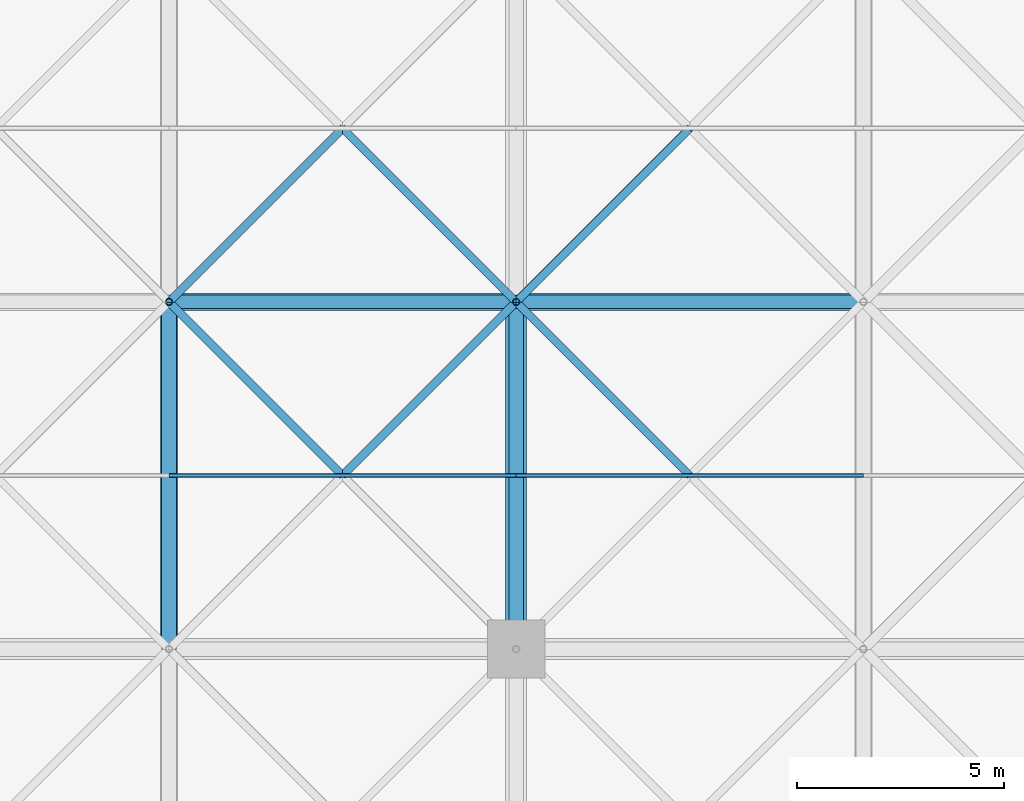
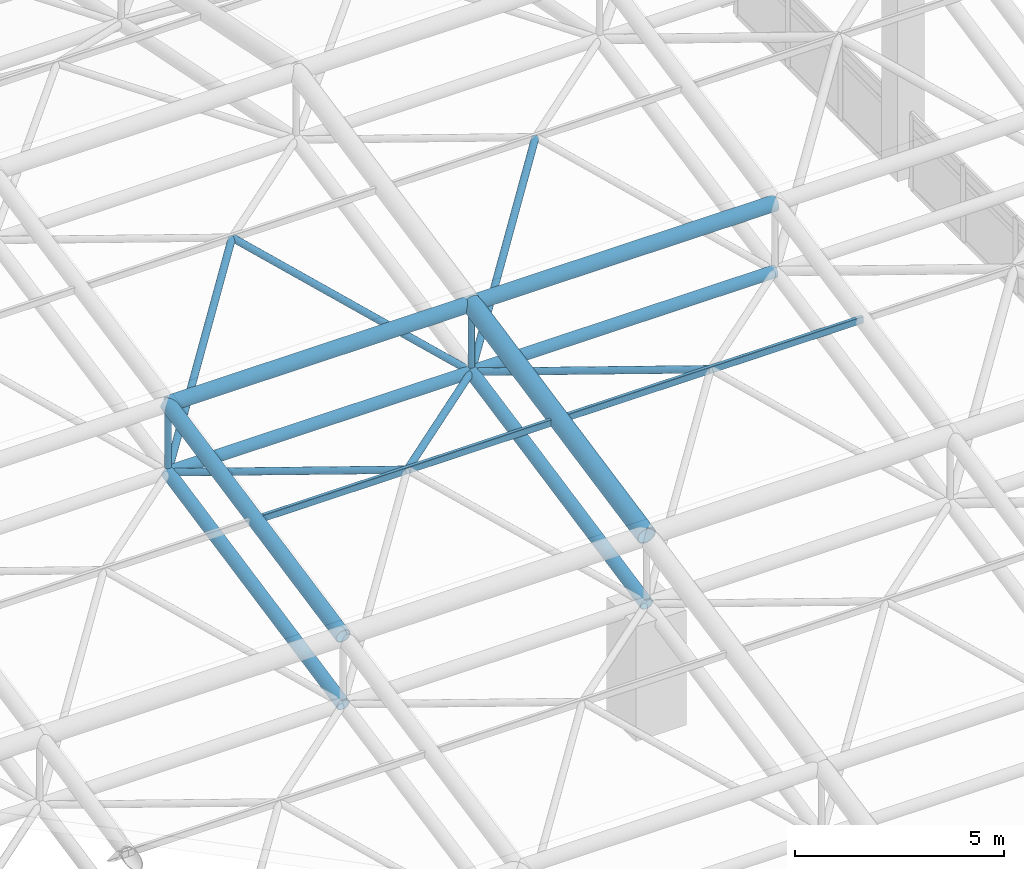
# One storey, part 58 of 110: 18 members.
"""IFC4 building model written with IfcOpenShell, lengths in metres."""

from ifc_helpers import new_model, si_unit, direction, frame, origin, origin_2d, place, context, subcontext, project, spatial, hollow_rectangle, hollow_circle, extrude, material, material_profile, profile_set, type_object, element, save


model = new_model("IFC4")

# Units and contexts
model_context = context("Model", 3, precision=1e-05, world=origin(), true_north=direction((0.0, 1.0)))
body_context = subcontext(model_context, "Body", "Model", "MODEL_VIEW")
ifc_project = project(units=[si_unit("LENGTHUNIT", "METRE"), si_unit("AREAUNIT", "SQUARE_METRE"), si_unit("VOLUMEUNIT", "CUBIC_METRE"), si_unit("PLANEANGLEUNIT", "RADIAN"), si_unit("MASSUNIT", "GRAM", prefix="KILO")], contexts=[model_context])

# Site, building, storey
site_placement = place(None, origin())
site = spatial("IfcSite", under=ifc_project, at=site_placement, CompositionType="ELEMENT")
building_placement = place(site_placement, origin())
building = spatial("IfcBuilding", under=site, at=building_placement, Name="Qawsi Khor Wholesale Market", CompositionType="ELEMENT")
storey_placement = place(building_placement, frame((0.0, 0.0, 11.39990234375)))
storey = spatial("IfcBuildingStorey", under=building, at=storey_placement, Name="L02", CompositionType="ELEMENT", Elevation=11.39990234375)

# Members
ifc_material = material(Name="Steel S355", Category="steel")
ifc_material_profile_1 = material_profile(ifc_material, hollow_circle(Radius=0.177734375, WallThickness=0.01611328125, at=origin_2d()), Name="CHS 355.6x16.0")
ifc_profile_set_1 = profile_set([ifc_material_profile_1], Name="Steel S355")
member_type_1 = type_object("IfcMemberType", Name="Space-Frame Bottom Chord CHS 355.6x16.0", PredefinedType="CHORD", material=ifc_profile_set_1)
for number, where, z_axis, x_axis, name in (
    (1, (193.199951171875, 58.800048828125, 3.3701171875), (0.0, 0.980129990483, 0.1983562496), (-1.0, 0.0, 0.0), "Space frame bottom chord Y EH (23,7)"),
    (2, (201.60009765625, 58.800048828125, 3.3701171875), (0.0, 0.980129990483, 0.1983562496), (-1.0, 0.0, 0.0), "Space frame bottom chord Y EH (24,7)"),
):
    element("IfcMember", number, at=place(storey_placement, frame(where, z_axis=z_axis, x_axis=x_axis)), inside=storey, type_object=member_type_1, Name=name, PredefinedType="CHORD", context=body_context, shape_type="SweptSolid", body=[
        extrude(hollow_circle(Radius=0.177734375, WallThickness=0.01611328125, at=origin_2d()), origin(), (0.0, 0.0, 1.0), 8.5703125),
    ])
ifc_material_profile_2 = material_profile(ifc_material, hollow_circle(Radius=0.25390625, WallThickness=0.02490234375, at=origin_2d()), Name="CHS 508.0x25.0")
ifc_profile_set_2 = profile_set([ifc_material_profile_2], Name="Steel S355")
member_type_2 = type_object("IfcMemberType", Name="Space-Frame Main Chord CHS 508.0x25.0", PredefinedType="CHORD", material=ifc_profile_set_2)
member_1_placement = place(storey_placement, frame((201.60009765625, 58.800048828125, 5.3701171875), z_axis=(0.0, 0.980129990483, 0.1983562496), x_axis=(-1.0, 0.0, 0.0)))
element("IfcMember", 3, at=member_1_placement, inside=storey, type_object=member_type_2, Name="Space frame top chord Y EH (24,7)", PredefinedType="CHORD", context=body_context, shape_type="SweptSolid", body=[
    extrude(hollow_circle(Radius=0.25390625, WallThickness=0.02490234375, at=origin_2d()), origin(), (0.0, 0.0, 1.0), 8.5703125),
])
ifc_material_profile_3 = material_profile(ifc_material, hollow_rectangle(XDim=0.10009765625, YDim=0.199951171875, WallThickness=0.008056640625, InnerFilletRadius=0.008056640625, OuterFilletRadius=0.01611328125, at=origin_2d()), Name="RHS 200x100x8.0")
ifc_profile_set_3 = profile_set([ifc_material_profile_3], Name="Steel S355")
member_type_3 = type_object("IfcMemberType", Name="Space-Frame Purlin RHS 200x100x8.0", PredefinedType="PURLIN", material=ifc_profile_set_3)
member_2_placement = place(storey_placement, frame((193.199951171875, 63.0, 6.22021484375), z_axis=(1.0, 0.0, 0.0), x_axis=(0.0, 1.0, 0.0)))
element("IfcMember", 4, at=member_2_placement, inside=storey, type_object=member_type_3, Name="Space frame purlin EH (23,7)", PredefinedType="PURLIN", context=body_context, shape_type="SweptSolid", body=[
    extrude(hollow_rectangle(XDim=0.10009765625, YDim=0.199951171875, WallThickness=0.008056640625, InnerFilletRadius=0.008056640625, OuterFilletRadius=0.01611328125, at=origin_2d()), origin(), (0.0, 0.0, 1.0), 8.400146484375),
])
member_3_placement = place(storey_placement, frame((201.60009765625, 63.0, 6.22021484375), z_axis=(1.0, 0.0, 0.0), x_axis=(0.0, 1.0, 0.0)))
element("IfcMember", 5, at=member_3_placement, inside=storey, type_object=member_type_3, Name="Space frame purlin EH (24,7)", PredefinedType="PURLIN", context=body_context, shape_type="SweptSolid", body=[
    extrude(hollow_rectangle(XDim=0.10009765625, YDim=0.199951171875, WallThickness=0.008056640625, InnerFilletRadius=0.008056640625, OuterFilletRadius=0.01611328125, at=origin_2d()), origin(), (0.0, 0.0, 1.0), 8.39990234375),
])
ifc_material_profile_4 = material_profile(ifc_material, hollow_circle(Radius=0.161865234375, WallThickness=0.01611328125, at=origin_2d()), Name="CHS 323.9x16.0")
ifc_profile_set_4 = profile_set([ifc_material_profile_4], Name="Steel S355")
member_type_4 = type_object("IfcMemberType", Name="Space-Frame Secondary Chord CHS 323.9x16.0", PredefinedType="CHORD", material=ifc_profile_set_4)
member_4_placement = place(storey_placement, frame((193.199951171875, 67.199951171875, 5.070068359375), z_axis=(1.0, 0.0, 0.0), x_axis=(0.0, 1.0, 0.0)))
element("IfcMember", 6, at=member_4_placement, inside=storey, type_object=member_type_4, Name="Space frame bottom chord X EH (23,8)", PredefinedType="CHORD", context=body_context, shape_type="SweptSolid", body=[
    extrude(hollow_circle(Radius=0.161865234375, WallThickness=0.01611328125, at=origin_2d()), origin(), (0.0, 0.0, 1.0), 8.400146484375),
])
member_5_placement = place(storey_placement, frame((201.60009765625, 67.199951171875, 5.070068359375), z_axis=(1.0, 0.0, 0.0), x_axis=(0.0, 1.0, 0.0)))
element("IfcMember", 7, at=member_5_placement, inside=storey, type_object=member_type_4, Name="Space frame bottom chord X EH (24,8)", PredefinedType="CHORD", context=body_context, shape_type="SweptSolid", body=[
    extrude(hollow_circle(Radius=0.161865234375, WallThickness=0.01611328125, at=origin_2d()), origin(), (0.0, 0.0, 1.0), 8.39990234375),
])
ifc_material_profile_5 = material_profile(ifc_material, hollow_circle(Radius=0.096923828125, WallThickness=0.008056640625, at=origin_2d()), Name="CHS 193.7x8.0")
ifc_profile_set_5 = profile_set([ifc_material_profile_5], Name="Steel S355")
member_type_5 = type_object("IfcMemberType", Name="Space-Frame Secondary Diagonal CHS 193.7x8.0", PredefinedType="RAFTER", material=ifc_profile_set_5)
for number, where, z_axis, x_axis, name in (
    (8, (201.60009765625, 67.199951171875, 5.070068359375), (-0.694232294544, -0.694191941586, 0.190102786538), (0.70708622964, -0.707127332136, 0.0), "Space frame diagonal EH (23,7)-3"),
    (9, (193.199951171875, 67.199951171875, 5.070068359375), (0.694211389158, -0.694211389158, 0.190108112208), (0.707106781187, 0.707106781187, 0.0), "Space frame diagonal EH (23,7)-4"),
):
    element("IfcMember", number, at=place(storey_placement, frame(where, z_axis=z_axis, x_axis=x_axis)), inside=storey, type_object=member_type_5, Name=name, PredefinedType="RAFTER", context=body_context, shape_type="SweptSolid", body=[
        extrude(hollow_circle(Radius=0.096923828125, WallThickness=0.008056640625, at=origin_2d()), origin(), (0.0, 0.0, 1.0), 6.050048828125),
    ])
for number, where, z_axis, x_axis, name in (
    (10, (193.199951171875, 67.199951171875, 5.070068359375), (0.637511741089, 0.637511741089, 0.432617105474), (-0.707106781187, 0.707106781187, 0.0), "Space frame diagonal EH (23,8)-1"),
    (11, (201.60009765625, 67.199951171875, 5.070068359375), (-0.637533737254, 0.637496679957, 0.432606884951), (-0.70708622964, -0.707127332136, 0.0), "Space frame diagonal EH (23,8)-2"),
):
    element("IfcMember", number, at=place(storey_placement, frame(where, z_axis=z_axis, x_axis=x_axis)), inside=storey, type_object=member_type_5, Name=name, PredefinedType="RAFTER", context=body_context, shape_type="SweptSolid", body=[
        extrude(hollow_circle(Radius=0.096923828125, WallThickness=0.008056640625, at=origin_2d()), origin(), (0.0, 0.0, 1.0), 6.588134765625),
    ])
member_6_placement = place(storey_placement, frame((201.60009765625, 67.199951171875, 5.070068359375), z_axis=(0.694211389158, -0.694211389158, 0.190108112208), x_axis=(0.707106781187, 0.707106781187, 0.0)))
element("IfcMember", 12, at=member_6_placement, inside=storey, type_object=member_type_5, Name="Space frame diagonal EH (24,7)-4", PredefinedType="RAFTER", context=body_context, shape_type="SweptSolid", body=[
    extrude(hollow_circle(Radius=0.096923828125, WallThickness=0.008056640625, at=origin_2d()), origin(), (0.0, 0.0, 1.0), 6.050048828125),
])
member_7_placement = place(storey_placement, frame((201.60009765625, 67.199951171875, 5.070068359375), z_axis=(0.637511741089, 0.637511741089, 0.432617105474), x_axis=(-0.707106781187, 0.707106781187, 0.0)))
element("IfcMember", 13, at=member_7_placement, inside=storey, type_object=member_type_5, Name="Space frame diagonal EH (24,8)-1", PredefinedType="RAFTER", context=body_context, shape_type="SweptSolid", body=[
    extrude(hollow_circle(Radius=0.096923828125, WallThickness=0.008056640625, at=origin_2d()), origin(), (0.0, 0.0, 1.0), 6.588134765625),
])
ifc_material_profile_6 = material_profile(ifc_material, hollow_circle(Radius=0.203125, WallThickness=0.02001953125, at=origin_2d()), Name="CHS 406.4x20.0")
ifc_profile_set_6 = profile_set([ifc_material_profile_6], Name="Steel S355")
member_type_6 = type_object("IfcMemberType", Name="Space-Frame Top Chord CHS 406.4x20.0", PredefinedType="CHORD", material=ifc_profile_set_6)
member_8_placement = place(storey_placement, frame((193.199951171875, 58.800048828125, 5.3701171875), z_axis=(0.0, 0.980129990483, 0.1983562496), x_axis=(-1.0, 0.0, 0.0)))
element("IfcMember", 14, at=member_8_placement, inside=storey, type_object=member_type_6, Name="Space frame top chord Y EH (23,7)", PredefinedType="CHORD", context=body_context, shape_type="SweptSolid", body=[
    extrude(hollow_circle(Radius=0.203125, WallThickness=0.02001953125, at=origin_2d()), origin(), (0.0, 0.0, 1.0), 8.5703125),
])
member_9_placement = place(storey_placement, frame((193.199951171875, 67.199951171875, 7.070068359375), z_axis=(1.0, 0.0, 0.0), x_axis=(0.0, 1.0, 0.0)))
element("IfcMember", 15, at=member_9_placement, inside=storey, type_object=member_type_6, Name="Space frame top chord X EH (23,8)", PredefinedType="CHORD", context=body_context, shape_type="SweptSolid", body=[
    extrude(hollow_circle(Radius=0.203125, WallThickness=0.02001953125, at=origin_2d()), origin(), (0.0, 0.0, 1.0), 8.400146484375),
])
member_10_placement = place(storey_placement, frame((201.60009765625, 67.199951171875, 7.070068359375), z_axis=(1.0, 0.0, 0.0), x_axis=(0.0, 1.0, 0.0)))
element("IfcMember", 16, at=member_10_placement, inside=storey, type_object=member_type_6, Name="Space frame top chord X EH (24,8)", PredefinedType="CHORD", context=body_context, shape_type="SweptSolid", body=[
    extrude(hollow_circle(Radius=0.203125, WallThickness=0.02001953125, at=origin_2d()), origin(), (0.0, 0.0, 1.0), 8.39990234375),
])
ifc_material_profile_7 = material_profile(ifc_material, hollow_circle(Radius=0.084228515625, WallThickness=0.008056640625, at=origin_2d()), Name="CHS 168.3x8.0")
ifc_profile_set_7 = profile_set([ifc_material_profile_7], Name="Steel S355")
member_type_7 = type_object("IfcMemberType", Name="Space-Frame Vertical Strut CHS 168.3x8.0", PredefinedType="STRUT", material=ifc_profile_set_7)
for number, where, z_axis, x_axis, name in (
    (17, (193.199951171875, 67.199951171875, 5.070068359375), (0.0, 0.0, 1.0), (1.0, 0.0, 0.0), "Space frame post EH (23,8)"),
    (18, (201.60009765625, 67.199951171875, 5.070068359375), (0.0, 0.0, 1.0), (1.0, 0.0, 0.0), "Space frame post EH (24,8)"),
):
    element("IfcMember", number, at=place(storey_placement, frame(where, z_axis=z_axis, x_axis=x_axis)), inside=storey, type_object=member_type_7, Name=name, PredefinedType="STRUT", context=body_context, shape_type="SweptSolid", body=[
        extrude(hollow_circle(Radius=0.084228515625, WallThickness=0.008056640625, at=origin_2d()), origin(), (0.0, 0.0, 1.0), 2.0),
    ])

save(model, "model.ifc")
